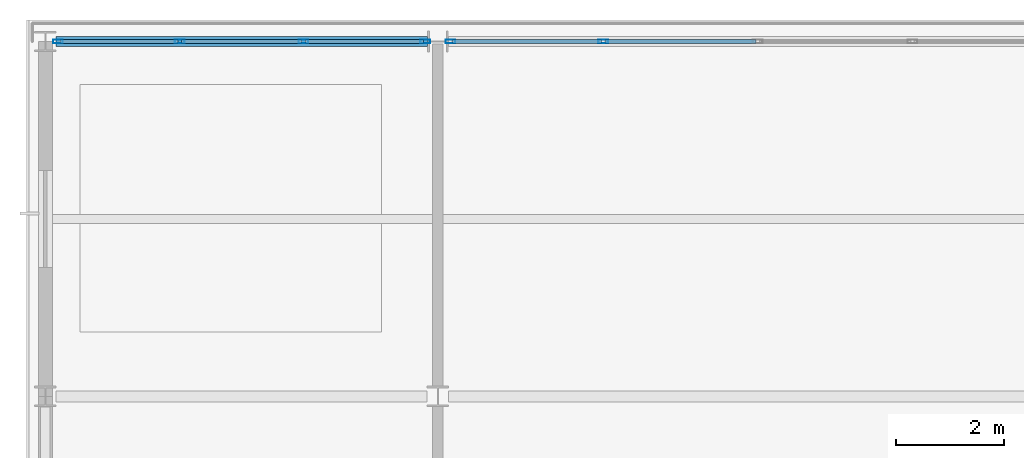
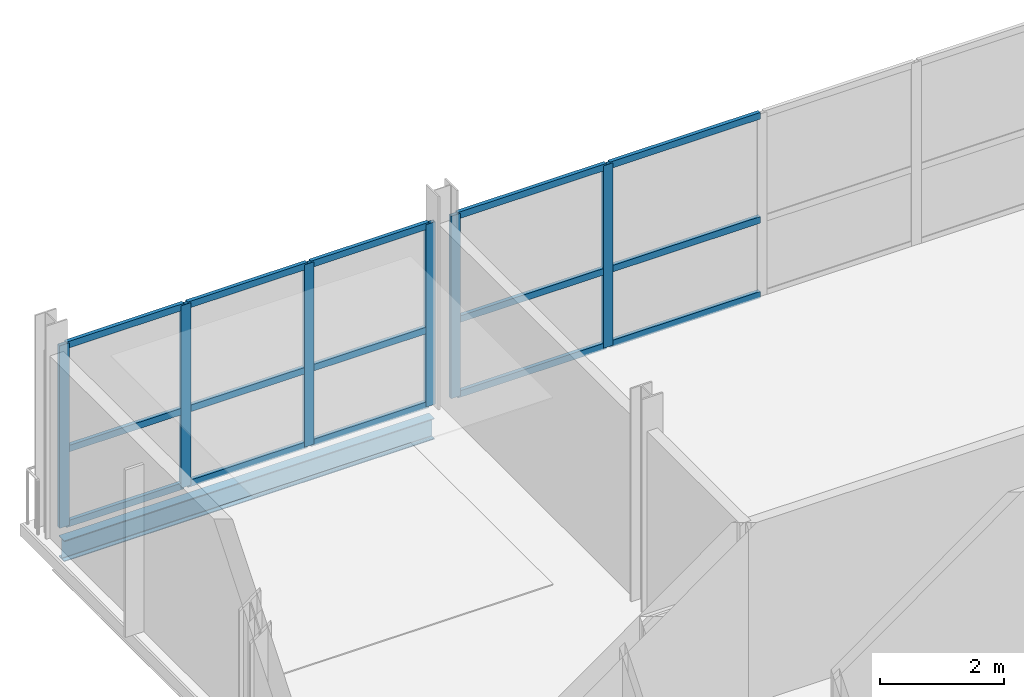
# One storey, part 33 of 60: 21 members, 1 beam, 2 elements without a shape of their own.
"""IFC4 building model written with IfcOpenShell, lengths in metres."""

import ifcopenshell
import ifcopenshell.guid

model = None  # the IFC model being written
_history = None  # IfcOwnerHistory: only IFC2X3 demands one
_inside = {}  # id of a spatial element -> (the spatial element, [elements in it])
_under = {}  # id of a project, library or spatial element -> (it, [spatial elements below it])
_declared = {}  # id of a project -> (the project, [libraries it declares])
_typed = {}  # id of a type object -> (the type object, [elements of that type])
_made_of = {}  # id of a material, layer set ... -> (it, [elements and type objects made of it])


def new_model(schema):
    """Start an empty IFC model of exactly this schema.

    Asked for "IFC4X3", IfcOpenShell would pick the latest addendum, in which some entities
    have other attributes; the version numbers below select the first issue.
    IFC2X3 requires an IfcOwnerHistory on every rooted entity: one is made here for all.
    """
    global model, _history
    if schema == "IFC4X3":
        model = ifcopenshell.file(schema_version=(4, 3, 0, 0))
    else:
        model = ifcopenshell.file(schema=schema)
    _inside.clear()
    _under.clear()
    _declared.clear()
    _typed.clear()
    _made_of.clear()
    _history = None
    if model.schema == "IFC2X3":
        org = make("IfcOrganization", Name="unknown")
        user = make(
            "IfcPersonAndOrganization",
            ThePerson=make("IfcPerson", FamilyName="unknown"),
            TheOrganization=org,
        )
        app = make(
            "IfcApplication",
            ApplicationDeveloper=org,
            Version="unknown",
            ApplicationFullName="unknown",
            ApplicationIdentifier="unknown",
        )
        _history = make(
            "IfcOwnerHistory",
            OwningUser=user,
            OwningApplication=app,
            ChangeAction="ADDED",
            CreationDate=0,
        )
    return model


def make(cls, **values):
    """One entity of the class cls with the attributes given. An attribute that is None is left unset."""
    return model.create_entity(
        cls, **{name: value for name, value in values.items() if value is not None}
    )


def rooted(cls, **values):
    """An entity with a GlobalId (a new one), such as an element, a storey or a relation."""
    return make(cls, GlobalId=ifcopenshell.guid.new(), OwnerHistory=_history, **values)


def si_unit(unit_type, name, prefix=None):
    """IfcSIUnit, for example si_unit("LENGTHUNIT", "METRE", prefix="MILLI")."""
    return make("IfcSIUnit", UnitType=unit_type, Prefix=prefix, Name=name)


def assignment(units):
    """IfcUnitAssignment: the units of a project."""
    return None if units is None else make("IfcUnitAssignment", Units=units)


def point(xyz):
    """IfcCartesianPoint."""
    return None if xyz is None else make("IfcCartesianPoint", Coordinates=xyz)


def direction(xyz):
    """IfcDirection."""
    return None if xyz is None else make("IfcDirection", DirectionRatios=xyz)


def frame(location, z_axis=None, x_axis=None):
    """IfcAxis2Placement3D, a coordinate frame: its origin and axes. An axis left out is left unset."""
    return make(
        "IfcAxis2Placement3D",
        Location=point(location),
        Axis=direction(z_axis),
        RefDirection=direction(x_axis),
    )


def frame_2d(location, x_axis=None):
    """IfcAxis2Placement2D, a coordinate frame in the plane: its origin and x axis."""
    return make(
        "IfcAxis2Placement2D", Location=point(location), RefDirection=direction(x_axis)
    )


def origin():
    """The frame at (0, 0, 0) with its axes left unset."""
    return frame((0.0, 0.0, 0.0))


def origin_2d():
    """The frame at (0, 0) in the plane with its x axis left unset."""
    return frame_2d((0.0, 0.0))


def place(relative_to, where):
    """IfcLocalPlacement: puts the frame where relative to a parent placement (None: the world)."""
    return make(
        "IfcLocalPlacement", PlacementRelTo=relative_to, RelativePlacement=where
    )


def context(
    kind, dimensions, precision=None, world=None, true_north=None, identifier=None
):
    """IfcGeometricRepresentationContext, for example the 3D "Model" context."""
    return make(
        "IfcGeometricRepresentationContext",
        ContextIdentifier=identifier,
        ContextType=kind,
        CoordinateSpaceDimension=dimensions,
        Precision=precision,
        WorldCoordinateSystem=world,
        TrueNorth=true_north,
    )


def subcontext(parent, identifier, kind, view, scale=None):
    """IfcGeometricRepresentationSubContext, for example "Body" below "Model"."""
    return make(
        "IfcGeometricRepresentationSubContext",
        ContextIdentifier=identifier,
        ContextType=kind,
        ParentContext=parent,
        TargetScale=scale,
        TargetView=view,
    )


def project(units=None, contexts=None):
    """IfcProject with its units and contexts."""
    return rooted(
        "IfcProject",
        Name="project",
        RepresentationContexts=contexts,
        UnitsInContext=assignment(units),
    )


def spatial(cls, under=None, at=None, **own):
    """A site, building, storey or space (cls), placed at a placement, below another one or the project."""
    s = rooted(cls, ObjectPlacement=at, **own)
    if under is not None:
        _under.setdefault(under.id(), (under, []))[1].append(s)
    return s


def profile(cls, at=None, kind="AREA", **sizes):
    """A parametric profile (cls). Its sizes go by their IFC names, for example OverallWidth=200.0."""
    return make(cls, ProfileType=kind, Position=at, **sizes)


def hollow_rectangle(**sizes):
    """IfcRectangleHollowProfileDef."""
    return profile("IfcRectangleHollowProfileDef", **sizes)


def i_section(**sizes):
    """IfcIShapeProfileDef."""
    return profile("IfcIShapeProfileDef", **sizes)


def extrude(swept, where, along, depth):
    """IfcExtrudedAreaSolid: the profile swept, set in the frame where, extruded along a direction by depth."""
    return make(
        "IfcExtrudedAreaSolid",
        SweptArea=swept,
        Position=where,
        ExtrudedDirection=direction(along),
        Depth=depth,
    )


def shape(context_of_items, identifier, shape_type, items):
    """IfcShapeRepresentation: the items that make up one representation, for example the "Body"."""
    return make(
        "IfcShapeRepresentation",
        ContextOfItems=context_of_items,
        RepresentationIdentifier=identifier,
        RepresentationType=shape_type,
        Items=items,
    )


def material(Name=None, Category=None):
    """IfcMaterial."""
    return make("IfcMaterial", Name=Name, Category=Category)


def layer(
    of_material, thickness, ventilated=None, Name=None, Category=None, Priority=None
):
    """IfcMaterialLayer: one layer of a wall or slab, of a material (None: an air gap)."""
    return make(
        "IfcMaterialLayer",
        Material=of_material,
        LayerThickness=thickness,
        IsVentilated=ventilated,
        Name=Name,
        Category=Category,
        Priority=Priority,
    )


def layer_set(layers, Name=None):
    """IfcMaterialLayerSet."""
    return make("IfcMaterialLayerSet", MaterialLayers=layers, LayerSetName=Name)


def material_profile(
    of_material, cross_section, Name=None, Category=None, Priority=None
):
    """IfcMaterialProfile: a cross section and its material."""
    return make(
        "IfcMaterialProfile",
        Name=Name,
        Material=of_material,
        Profile=cross_section,
        Priority=Priority,
        Category=Category,
    )


def profile_set(profiles, Name=None, composite=None):
    """IfcMaterialProfileSet."""
    return make(
        "IfcMaterialProfileSet",
        Name=Name,
        MaterialProfiles=profiles,
        CompositeProfile=composite,
    )


def made_of(thing, what):
    """Note that an element or type object is made of a material, layer set ...; save() writes the relation."""
    if what is not None:
        _made_of.setdefault(what.id(), (what, []))[1].append(thing)
    return thing


def type_object(cls, material=None, **own):
    """A type object (cls), such as IfcWallType, which elements share."""
    return made_of(rooted(cls, **own), material)


def element(
    cls,
    number,
    at=None,
    inside=None,
    cuts=None,
    type_object=None,
    material=None,
    context=None,
    identifier="Body",
    shape_type=None,
    held_by="IfcProductDefinitionShape",
    body=None,
    shapes=None,
    **own,
):
    """One element of the class cls, such as IfcWall. Its Tag is "e" and its number.

    at: its placement. inside: the storey or other place that contains it. cuts: it is an
    opening in that element (IfcRelVoidsElement). A single representation is given by context,
    identifier, shape_type and body (its items); several are given by shapes. held_by: the class
    of the entity that holds the representations. save() writes the other relations.
    """
    e = rooted(cls, Tag="e%d" % number, ObjectPlacement=at, **own)
    if body is not None:
        shapes = [shape(context, identifier, shape_type, body)]
    if shapes is not None:
        e.Representation = make(held_by, Representations=shapes)
    if inside is not None:
        _inside.setdefault(inside.id(), (inside, []))[1].append(e)
    if cuts is not None:
        rooted(
            "IfcRelVoidsElement", RelatingBuildingElement=cuts, RelatedOpeningElement=e
        )
    if type_object is not None:
        _typed.setdefault(type_object.id(), (type_object, []))[1].append(e)
    return made_of(e, material)


def aggregate(whole, parts):
    """IfcRelAggregates: a whole, such as a stair, and the parts it consists of."""
    return rooted("IfcRelAggregates", RelatingObject=whole, RelatedObjects=parts)


def save(model, path):
    """Write the relations noted so far, then the file.

    IfcRelAggregates (storeys below a building ...), IfcRelContainedInSpatialStructure (elements
    in a storey), IfcRelDefinesByType, IfcRelAssociatesMaterial and IfcRelDeclares: one each for
    every whole, place, type object, material and project.
    """
    for whole, parts in _under.values():
        aggregate(whole, parts)
    for where, things in _inside.values():
        rooted(
            "IfcRelContainedInSpatialStructure",
            RelatedElements=things,
            RelatingStructure=where,
        )
    for kind, things in _typed.values():
        rooted("IfcRelDefinesByType", RelatedObjects=things, RelatingType=kind)
    for what, things in _made_of.values():
        rooted("IfcRelAssociatesMaterial", RelatedObjects=things, RelatingMaterial=what)
    for by, libraries in _declared.values():
        rooted("IfcRelDeclares", RelatingContext=by, RelatedDefinitions=libraries)
    model.write(path)


model = new_model("IFC4")

# Units and contexts
model_context = context("Model", 3, precision=1e-05, world=origin(), true_north=direction((0.0, 1.0)))
body_context = subcontext(model_context, "Body", "Model", "MODEL_VIEW")
ifc_project = project(units=[si_unit("LENGTHUNIT", "METRE"), si_unit("AREAUNIT", "SQUARE_METRE"), si_unit("VOLUMEUNIT", "CUBIC_METRE"), si_unit("PLANEANGLEUNIT", "RADIAN"), si_unit("MASSUNIT", "GRAM", prefix="KILO")], contexts=[model_context])

# Site, building, storey
site_placement = place(None, origin())
site = spatial("IfcSite", under=ifc_project, at=site_placement, CompositionType="ELEMENT")
building_placement = place(site_placement, origin())
building = spatial("IfcBuilding", under=site, at=building_placement, Name="Quillay Park Conservatory", CompositionType="ELEMENT")
storey_placement = place(building_placement, frame((0.0, 0.0, 9.89990234375)))
storey = spatial("IfcBuildingStorey", under=building, at=storey_placement, Name="L02", CompositionType="ELEMENT", Elevation=9.89990234375)

# Curtain wall, members
ifc_material_1 = material(Name="Thermally Broken Anodised Aluminium 6063-T6", Category="aluminium")
ifc_layer = layer(ifc_material_1, 0.179931640625)
ifc_layer_set = layer_set([ifc_layer], Name="UNITISED CURTAIN WALL TOWER (Thermally Broken Anodised Aluminium 6063-T6)")
curtain_wall_type = type_object("IfcCurtainWallType", Name="UNITISED CURTAIN WALL TOWER", PredefinedType="USERDEFINED", material=ifc_layer_set)
curtain_wall_1_placement = place(storey_placement, origin())
curtain_wall_1 = element("IfcCurtainWall", 1, at=curtain_wall_1_placement, inside=storey, type_object=curtain_wall_type, Name="L02 Unitised Curtain Wall 025", ObjectType="UNITISED CURTAIN WALL", PredefinedType="USERDEFINED")
ifc_material_2 = material(Name="Thermally Broken Anodised Aluminium 6063-T6", Category="aluminium")
ifc_material_profile_1 = material_profile(ifc_material_2, hollow_rectangle(XDim=0.070068359375, YDim=0.179931640625, WallThickness=0.00390625, at=origin_2d()), Name="AL70x180x4")
ifc_profile_set_1 = profile_set([ifc_material_profile_1], Name="Thermally Broken Anodised Aluminium 6063-T6")
member_type_1 = type_object("IfcMemberType", Name="CURTAIN WALL MULLION 70 X180", PredefinedType="MULLION", material=ifc_profile_set_1)
member_1_placement = place(storey_placement, frame((0.784912109375, 113.39990234375, 0.0), z_axis=(0.0, 0.0, 1.0), x_axis=(0.0, 1.0, 0.0)))
member_1 = element("IfcMember", 2, at=member_1_placement, type_object=member_type_1, Name="CW-T1 mullion 1", PredefinedType="MULLION", context=body_context, shape_type="SweptSolid", body=[
    extrude(hollow_rectangle(XDim=0.070068359375, YDim=0.179931640625, WallThickness=0.00390625, at=origin_2d()), origin(), (0.0, 0.0, 1.0), 3.59912109375),
])
member_2_placement = place(storey_placement, frame((3.050048828125, 113.39990234375, 0.0), z_axis=(0.0, 0.0, 1.0), x_axis=(0.0, 1.0, 0.0)))
member_2 = element("IfcMember", 3, at=member_2_placement, type_object=member_type_1, Name="CW-T1 mullion 2", PredefinedType="MULLION", context=body_context, shape_type="SweptSolid", body=[
    extrude(hollow_rectangle(XDim=0.070068359375, YDim=0.179931640625, WallThickness=0.00390625, at=origin_2d()), origin(), (0.0, 0.0, 1.0), 3.59912109375),
])
member_3_placement = place(storey_placement, frame((5.35009765625, 113.39990234375, 0.0), z_axis=(0.0, 0.0, 1.0), x_axis=(0.0, 1.0, 0.0)))
member_3 = element("IfcMember", 4, at=member_3_placement, type_object=member_type_1, Name="CW-T1 mullion 3", PredefinedType="MULLION", context=body_context, shape_type="SweptSolid", body=[
    extrude(hollow_rectangle(XDim=0.070068359375, YDim=0.179931640625, WallThickness=0.00390625, at=origin_2d()), origin(), (0.0, 0.0, 1.0), 3.59912109375),
])
member_4_placement = place(storey_placement, frame((7.614990234375, 113.39990234375, 0.0), z_axis=(0.0, 0.0, 1.0), x_axis=(0.0, 1.0, 0.0)))
member_4 = element("IfcMember", 5, at=member_4_placement, type_object=member_type_1, Name="CW-T1 mullion 4", PredefinedType="MULLION", context=body_context, shape_type="SweptSolid", body=[
    extrude(hollow_rectangle(XDim=0.070068359375, YDim=0.179931640625, WallThickness=0.00390625, at=origin_2d()), origin(), (0.0, 0.0, 1.0), 3.59912109375),
])

curtain_wall_2_placement = place(storey_placement, origin())
curtain_wall_2 = element("IfcCurtainWall", 6, at=curtain_wall_2_placement, inside=storey, type_object=curtain_wall_type, Name="L02 Unitised Curtain Wall 026", ObjectType="UNITISED CURTAIN WALL", PredefinedType="USERDEFINED")
member_5_placement = place(storey_placement, frame((8.0849609375, 113.39990234375, 0.0), z_axis=(0.0, 0.0, 1.0), x_axis=(0.0, 1.0, 0.0)))
member_5 = element("IfcMember", 7, at=member_5_placement, type_object=member_type_1, Name="CW-T1 mullion 1", PredefinedType="MULLION", context=body_context, shape_type="SweptSolid", body=[
    extrude(hollow_rectangle(XDim=0.070068359375, YDim=0.179931640625, WallThickness=0.00390625, at=origin_2d()), origin(), (0.0, 0.0, 1.0), 3.59912109375),
])
member_6_placement = place(storey_placement, frame((10.925048828125, 113.39990234375, 0.0), z_axis=(0.0, 0.0, 1.0), x_axis=(0.0, 1.0, 0.0)))
member_6 = element("IfcMember", 8, at=member_6_placement, type_object=member_type_1, Name="CW-T1 mullion 2", PredefinedType="MULLION", context=body_context, shape_type="SweptSolid", body=[
    extrude(hollow_rectangle(XDim=0.070068359375, YDim=0.179931640625, WallThickness=0.00390625, at=origin_2d()), origin(), (0.0, 0.0, 1.0), 3.59912109375),
])

# Member
ifc_material_3 = material(Name="Thermally Broken Anodised Aluminium 6063-T6", Category="aluminium")
ifc_material_profile_2 = material_profile(ifc_material_3, hollow_rectangle(XDim=0.070068359375, YDim=0.1298828125, WallThickness=0.003173828125, at=origin_2d()), Name="AL70x130x3.2")
ifc_profile_set_2 = profile_set([ifc_material_profile_2], Name="Thermally Broken Anodised Aluminium 6063-T6")
member_type_2 = type_object("IfcMemberType", Name="CURTAIN WALL TRANSOM 70 X130", PredefinedType="USERDEFINED", material=ifc_profile_set_2)
member_7_placement = place(storey_placement, frame((0.820068359375, 113.39990234375, 0.03515625), z_axis=(1.0, 0.0, 0.0), x_axis=(0.0, 1.0, 0.0)))
member_7 = element("IfcMember", 9, at=member_7_placement, type_object=member_type_2, Name="CW-T1 transom 1.1", ObjectType="TRANSOM", PredefinedType="USERDEFINED", context=body_context, shape_type="SweptSolid", body=[
    extrude(hollow_rectangle(XDim=0.070068359375, YDim=0.1298828125, WallThickness=0.003173828125, at=origin_2d()), origin(), (0.0, 0.0, 1.0), 2.19482421875),
])

member_8_placement = place(storey_placement, frame((0.820068359375, 113.39990234375, 1.51171875), z_axis=(1.0, 0.0, 0.0), x_axis=(0.0, 1.0, 0.0)))
member_8 = element("IfcMember", 10, at=member_8_placement, type_object=member_type_2, Name="CW-T1 transom 1.2", ObjectType="TRANSOM", PredefinedType="USERDEFINED", context=body_context, shape_type="SweptSolid", body=[
    extrude(hollow_rectangle(XDim=0.070068359375, YDim=0.1298828125, WallThickness=0.003173828125, at=origin_2d()), origin(), (0.0, 0.0, 1.0), 2.19482421875),
])

member_9_placement = place(storey_placement, frame((0.820068359375, 113.39990234375, 3.564208984375), z_axis=(1.0, 0.0, 0.0), x_axis=(0.0, 1.0, 0.0)))
member_9 = element("IfcMember", 11, at=member_9_placement, type_object=member_type_2, Name="CW-T1 transom 1.3", ObjectType="TRANSOM", PredefinedType="USERDEFINED", context=body_context, shape_type="SweptSolid", body=[
    extrude(hollow_rectangle(XDim=0.070068359375, YDim=0.1298828125, WallThickness=0.003173828125, at=origin_2d()), origin(), (0.0, 0.0, 1.0), 2.19482421875),
])

member_10_placement = place(storey_placement, frame((3.0849609375, 113.39990234375, 0.03515625), z_axis=(1.0, 0.0, 0.0), x_axis=(0.0, 1.0, 0.0)))
member_10 = element("IfcMember", 12, at=member_10_placement, type_object=member_type_2, Name="CW-T1 transom 2.1", ObjectType="TRANSOM", PredefinedType="USERDEFINED", context=body_context, shape_type="SweptSolid", body=[
    extrude(hollow_rectangle(XDim=0.070068359375, YDim=0.1298828125, WallThickness=0.003173828125, at=origin_2d()), origin(), (0.0, 0.0, 1.0), 2.22998046875),
])

member_11_placement = place(storey_placement, frame((3.0849609375, 113.39990234375, 1.51171875), z_axis=(1.0, 0.0, 0.0), x_axis=(0.0, 1.0, 0.0)))
member_11 = element("IfcMember", 13, at=member_11_placement, type_object=member_type_2, Name="CW-T1 transom 2.2", ObjectType="TRANSOM", PredefinedType="USERDEFINED", context=body_context, shape_type="SweptSolid", body=[
    extrude(hollow_rectangle(XDim=0.070068359375, YDim=0.1298828125, WallThickness=0.003173828125, at=origin_2d()), origin(), (0.0, 0.0, 1.0), 2.22998046875),
])

member_12_placement = place(storey_placement, frame((3.0849609375, 113.39990234375, 3.564208984375), z_axis=(1.0, 0.0, 0.0), x_axis=(0.0, 1.0, 0.0)))
member_12 = element("IfcMember", 14, at=member_12_placement, type_object=member_type_2, Name="CW-T1 transom 2.3", ObjectType="TRANSOM", PredefinedType="USERDEFINED", context=body_context, shape_type="SweptSolid", body=[
    extrude(hollow_rectangle(XDim=0.070068359375, YDim=0.1298828125, WallThickness=0.003173828125, at=origin_2d()), origin(), (0.0, 0.0, 1.0), 2.22998046875),
])

member_13_placement = place(storey_placement, frame((5.385009765625, 113.39990234375, 0.03515625), z_axis=(1.0, 0.0, 0.0), x_axis=(0.0, 1.0, 0.0)))
member_13 = element("IfcMember", 15, at=member_13_placement, type_object=member_type_2, Name="CW-T1 transom 3.1", ObjectType="TRANSOM", PredefinedType="USERDEFINED", context=body_context, shape_type="SweptSolid", body=[
    extrude(hollow_rectangle(XDim=0.070068359375, YDim=0.1298828125, WallThickness=0.003173828125, at=origin_2d()), origin(), (0.0, 0.0, 1.0), 2.195068359375),
])

member_14_placement = place(storey_placement, frame((5.385009765625, 113.39990234375, 1.51171875), z_axis=(1.0, 0.0, 0.0), x_axis=(0.0, 1.0, 0.0)))
member_14 = element("IfcMember", 16, at=member_14_placement, type_object=member_type_2, Name="CW-T1 transom 3.2", ObjectType="TRANSOM", PredefinedType="USERDEFINED", context=body_context, shape_type="SweptSolid", body=[
    extrude(hollow_rectangle(XDim=0.070068359375, YDim=0.1298828125, WallThickness=0.003173828125, at=origin_2d()), origin(), (0.0, 0.0, 1.0), 2.195068359375),
])

member_15_placement = place(storey_placement, frame((5.385009765625, 113.39990234375, 3.564208984375), z_axis=(1.0, 0.0, 0.0), x_axis=(0.0, 1.0, 0.0)))
member_15 = element("IfcMember", 17, at=member_15_placement, type_object=member_type_2, Name="CW-T1 transom 3.3", ObjectType="TRANSOM", PredefinedType="USERDEFINED", context=body_context, shape_type="SweptSolid", body=[
    extrude(hollow_rectangle(XDim=0.070068359375, YDim=0.1298828125, WallThickness=0.003173828125, at=origin_2d()), origin(), (0.0, 0.0, 1.0), 2.195068359375),
])

aggregate(curtain_wall_1, [member_1, member_2, member_3, member_4, member_7, member_8, member_9, member_10, member_11, member_12, member_13, member_14, member_15])

member_16_placement = place(storey_placement, frame((8.1201171875, 113.39990234375, 0.03515625), z_axis=(1.0, 0.0, 0.0), x_axis=(0.0, 1.0, 0.0)))
member_16 = element("IfcMember", 18, at=member_16_placement, type_object=member_type_2, Name="CW-T1 transom 1.1", ObjectType="TRANSOM", PredefinedType="USERDEFINED", context=body_context, shape_type="SweptSolid", body=[
    extrude(hollow_rectangle(XDim=0.070068359375, YDim=0.1298828125, WallThickness=0.003173828125, at=origin_2d()), origin(), (0.0, 0.0, 1.0), 2.769775390625),
])

member_17_placement = place(storey_placement, frame((8.1201171875, 113.39990234375, 1.51171875), z_axis=(1.0, 0.0, 0.0), x_axis=(0.0, 1.0, 0.0)))
member_17 = element("IfcMember", 19, at=member_17_placement, type_object=member_type_2, Name="CW-T1 transom 1.2", ObjectType="TRANSOM", PredefinedType="USERDEFINED", context=body_context, shape_type="SweptSolid", body=[
    extrude(hollow_rectangle(XDim=0.070068359375, YDim=0.1298828125, WallThickness=0.003173828125, at=origin_2d()), origin(), (0.0, 0.0, 1.0), 2.769775390625),
])

member_18_placement = place(storey_placement, frame((8.1201171875, 113.39990234375, 3.564208984375), z_axis=(1.0, 0.0, 0.0), x_axis=(0.0, 1.0, 0.0)))
member_18 = element("IfcMember", 20, at=member_18_placement, type_object=member_type_2, Name="CW-T1 transom 1.3", ObjectType="TRANSOM", PredefinedType="USERDEFINED", context=body_context, shape_type="SweptSolid", body=[
    extrude(hollow_rectangle(XDim=0.070068359375, YDim=0.1298828125, WallThickness=0.003173828125, at=origin_2d()), origin(), (0.0, 0.0, 1.0), 2.769775390625),
])

member_19_placement = place(storey_placement, frame((10.9599609375, 113.39990234375, 0.03515625), z_axis=(1.0, 0.0, 0.0), x_axis=(0.0, 1.0, 0.0)))
member_19 = element("IfcMember", 21, at=member_19_placement, type_object=member_type_2, Name="CW-T1 transom 2.1", ObjectType="TRANSOM", PredefinedType="USERDEFINED", context=body_context, shape_type="SweptSolid", body=[
    extrude(hollow_rectangle(XDim=0.070068359375, YDim=0.1298828125, WallThickness=0.003173828125, at=origin_2d()), origin(), (0.0, 0.0, 1.0), 2.804931640625),
])

member_20_placement = place(storey_placement, frame((10.9599609375, 113.39990234375, 1.51171875), z_axis=(1.0, 0.0, 0.0), x_axis=(0.0, 1.0, 0.0)))
member_20 = element("IfcMember", 22, at=member_20_placement, type_object=member_type_2, Name="CW-T1 transom 2.2", ObjectType="TRANSOM", PredefinedType="USERDEFINED", context=body_context, shape_type="SweptSolid", body=[
    extrude(hollow_rectangle(XDim=0.070068359375, YDim=0.1298828125, WallThickness=0.003173828125, at=origin_2d()), origin(), (0.0, 0.0, 1.0), 2.804931640625),
])

member_21_placement = place(storey_placement, frame((10.9599609375, 113.39990234375, 3.564208984375), z_axis=(1.0, 0.0, 0.0), x_axis=(0.0, 1.0, 0.0)))
member_21 = element("IfcMember", 23, at=member_21_placement, type_object=member_type_2, Name="CW-T1 transom 2.3", ObjectType="TRANSOM", PredefinedType="USERDEFINED", context=body_context, shape_type="SweptSolid", body=[
    extrude(hollow_rectangle(XDim=0.070068359375, YDim=0.1298828125, WallThickness=0.003173828125, at=origin_2d()), origin(), (0.0, 0.0, 1.0), 2.804931640625),
])

aggregate(curtain_wall_2, [member_5, member_6, member_16, member_17, member_18, member_19, member_20, member_21])

# Beam
ifc_material_4 = material(Name="Steel ASTM A992 Grade 50", Category="steel")
ifc_material_profile_3 = material_profile(ifc_material_4, i_section(OverallWidth=0.179931640625, OverallDepth=0.4130859375, WebThickness=0.009765625, FlangeThickness=0.01611328125, FilletRadius=0.011962890625, at=origin_2d()), Name="W410x74")
ifc_profile_set_3 = profile_set([ifc_material_profile_3], Name="Steel ASTM A992 Grade 50")
beam_type = type_object("IfcBeamType", Name="PERIMETER SPANDREL BEAM W410 X74", PredefinedType="SPANDREL", material=ifc_profile_set_3)
beam_placement = place(storey_placement, frame((0.74951171875, 113.39990234375, -0.4365234375), z_axis=(1.0, 0.0, 0.0), x_axis=(0.0, 1.0, 0.0)))
element("IfcBeam", 24, at=beam_placement, inside=storey, type_object=beam_type, Name="L02 beam BM-SP-0195", PredefinedType="SPANDREL", context=body_context, shape_type="SweptSolid", body=[
    extrude(i_section(OverallWidth=0.179931640625, OverallDepth=0.4130859375, WebThickness=0.009765625, FlangeThickness=0.01611328125, FilletRadius=0.011962890625, at=origin_2d()), origin(), (0.0, 0.0, 1.0), 6.904052734375),
])

save(model, "model.ifc")
